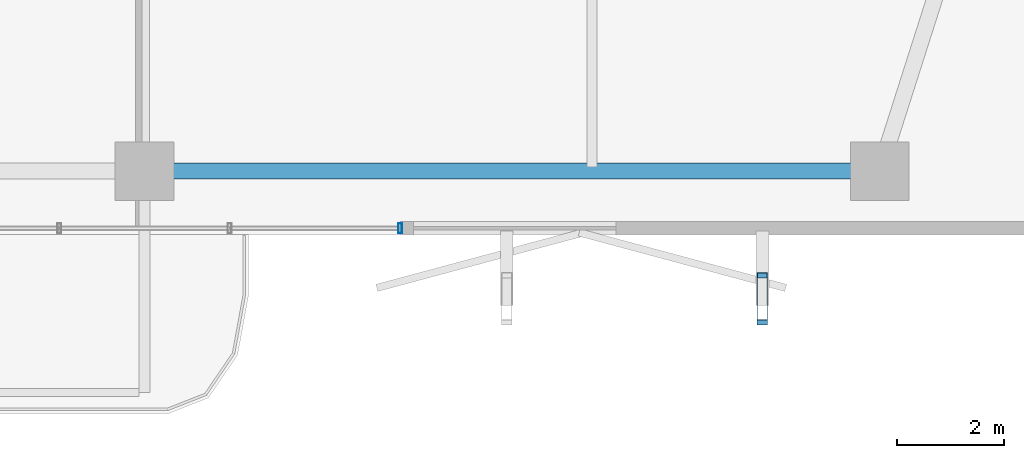
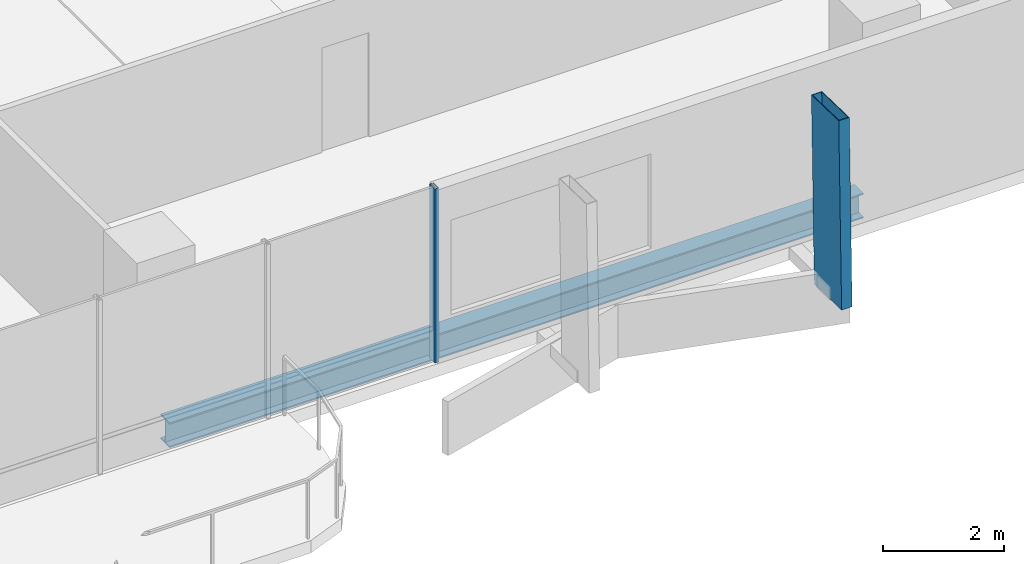
# One storey, part 8 of 25: 2 members, 1 beam, 1 element without a shape of its own.
"""IFC4 building model written with IfcOpenShell, lengths in metres."""

from ifc_helpers import new_model, si_unit, direction, frame, origin, origin_2d, place, context, subcontext, project, spatial, hollow_rectangle, i_section, extrude, material, layer, layer_set, material_profile, profile_set, type_object, element, aggregate, save


model = new_model("IFC4")

# Units and contexts
model_context = context("Model", 3, precision=1e-05, world=origin(), true_north=direction((0.0, 1.0)))
body_context = subcontext(model_context, "Body", "Model", "MODEL_VIEW")
ifc_project = project(units=[si_unit("LENGTHUNIT", "METRE"), si_unit("AREAUNIT", "SQUARE_METRE"), si_unit("VOLUMEUNIT", "CUBIC_METRE"), si_unit("PLANEANGLEUNIT", "RADIAN"), si_unit("MASSUNIT", "GRAM", prefix="KILO")], contexts=[model_context])

# Site, building, storey
site_placement = place(None, origin())
site = spatial("IfcSite", under=ifc_project, at=site_placement, CompositionType="ELEMENT")
building_placement = place(site_placement, origin())
building = spatial("IfcBuilding", under=site, at=building_placement, Name="Belovzor Exchange Tower", CompositionType="ELEMENT")
storey_placement = place(building_placement, frame((0.0, 0.0, 160.800048828125)))
storey = spatial("IfcBuildingStorey", under=building, at=storey_placement, Name="L39", CompositionType="ELEMENT", Elevation=160.800048828125)

# Member
ifc_material_1 = material(Name="Extruded Architectural Terracotta on Steel S355 Carrier", Category="masonry")
ifc_material_profile_1 = material_profile(ifc_material_1, hollow_rectangle(XDim=0.199951171875, YDim=0.89990234375, WallThickness=0.011962890625, at=origin_2d()))
ifc_profile_set_1 = profile_set([ifc_material_profile_1], Name="Extruded Architectural Terracotta on Steel S355 Carrier")
member_type_1 = type_object("IfcMemberType", Name="Sweeping Terracotta Baguette Fin Assembly 1250", PredefinedType="USERDEFINED", material=ifc_profile_set_1)
member_1_placement = place(storey_placement, frame((40.39990234375, 3.259033203125, -0.255126953125), z_axis=(0.0, 0.025057234181, 0.999686018215), x_axis=(-1.0, 0.0, 0.0)))
element("IfcMember", 1, at=member_1_placement, inside=storey, type_object=member_type_1, Name="FIN-TC125 Terracotta Facade Fin L39 S4", ObjectType="FIN", PredefinedType="USERDEFINED", context=body_context, shape_type="SweptSolid", body=[
    extrude(hollow_rectangle(XDim=0.199951171875, YDim=0.89990234375, WallThickness=0.011962890625, at=origin_2d()), origin(), (0.0, 0.0, 1.0), 3.751220703125),
])

# Curtain wall, member
ifc_material_2 = material(Name="Anodised Aluminium Framing", Category="aluminium")
ifc_layer = layer(ifc_material_2, 0.179931640625)
ifc_layer_set = layer_set([ifc_layer], Name="Anodised Aluminium Framing")
curtain_wall_type = type_object("IfcCurtainWallType", Name="Recessed Loggia Low-Iron Triple-Glazed Curtain Wall", PredefinedType="NOTDEFINED", material=ifc_layer_set)
curtain_wall_placement = place(storey_placement, origin())
curtain_wall = element("IfcCurtainWall", 2, at=curtain_wall_placement, inside=storey, type_object=curtain_wall_type, Name="CW3 Recessed Loggia Low-Iron Triple-Glazed Curtain Wall L39", PredefinedType="NOTDEFINED")
ifc_material_3 = material(Name="Steel S355", Category="steel")
ifc_material_profile_2 = material_profile(ifc_material_3, hollow_rectangle(XDim=0.074951171875, YDim=0.179931640625, WallThickness=0.0048828125, at=origin_2d()))
ifc_profile_set_2 = profile_set([ifc_material_profile_2], Name="Steel S355")
member_type_2 = type_object("IfcMemberType", Name="Thermally Broken Curtain Wall Mullion 180x75", PredefinedType="MULLION", material=ifc_profile_set_2)
member_2_placement = place(storey_placement, frame((33.60009765625, 4.6298828125, 0.0), z_axis=(0.0, 0.0, 1.0), x_axis=(-1.0, 0.0, 0.0)))
member_2 = element("IfcMember", 3, at=member_2_placement, type_object=member_type_2, Name="CW-M180 Curtain Wall Mullion 1", PredefinedType="MULLION", context=body_context, shape_type="SweptSolid", body=[
    extrude(hollow_rectangle(XDim=0.074951171875, YDim=0.179931640625, WallThickness=0.0048828125, at=origin_2d()), origin(), (0.0, 0.0, 1.0), 3.494873046875),
])
aggregate(curtain_wall, [member_2])

# Beam
ifc_material_4 = material(Name="Steel S355", Category="steel")
ifc_material_profile_3 = material_profile(ifc_material_4, i_section(OverallWidth=0.300048828125, OverallDepth=0.5, WebThickness=0.014404296875, FlangeThickness=0.028076171875, at=origin_2d()))
ifc_profile_set_3 = profile_set([ifc_material_profile_3], Name="Steel S355")
beam_type = type_object("IfcBeamType", Name="Zone 3 Waist Primary Girder HEB 500", PredefinedType="BEAM", material=ifc_profile_set_3)
beam_placement = place(storey_placement, frame((29.10205078125, 5.699951171875, -0.505126953125), z_axis=(1.0, 0.0, 0.0), x_axis=(0.0, 1.0, 0.0)))
element("IfcBeam", 4, at=beam_placement, inside=storey, type_object=beam_type, Name="FG-Z3 Zone 3 Waist Primary Girder HEB 500", PredefinedType="BEAM", context=body_context, shape_type="SweptSolid", body=[
    extrude(i_section(OverallWidth=0.300048828125, OverallDepth=0.5, WebThickness=0.014404296875, FlangeThickness=0.028076171875, at=origin_2d()), origin(), (0.0, 0.0, 1.0), 13.195068359375),
])

save(model, "model.ifc")
